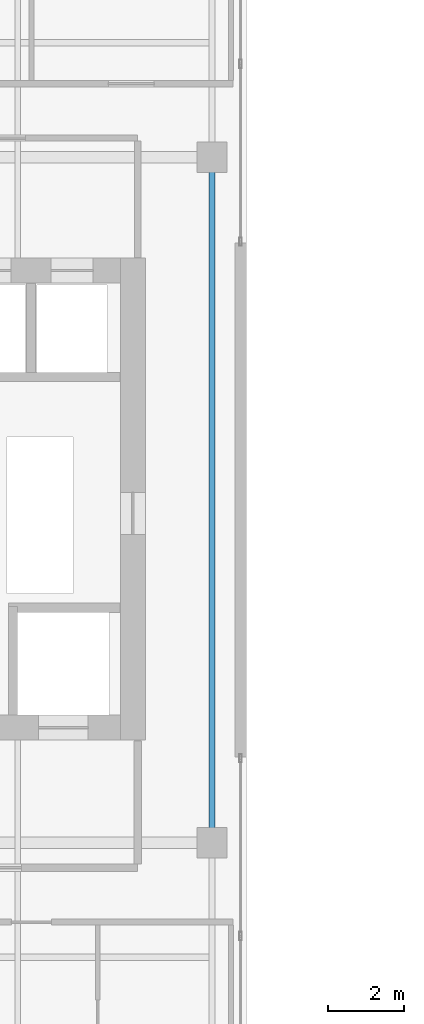
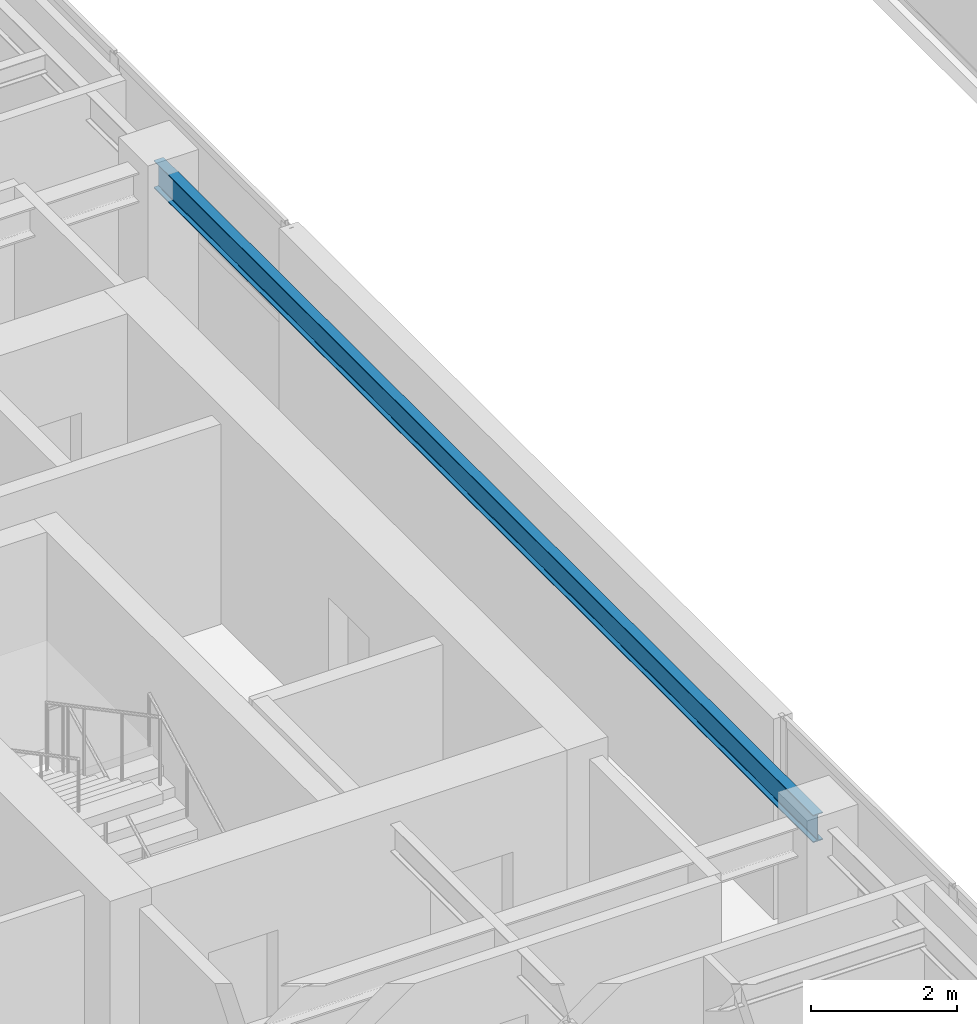
# One storey, part 7 of 22: 1 beam.
"""IFC4 building model written with IfcOpenShell, lengths in metres."""

from ifc_helpers import new_model, si_unit, direction, frame, origin, origin_2d, place, context, subcontext, project, spatial, i_section, extrude, source, transform, mapped, material, material_profile, profile_set, type_object, element, save


model = new_model("IFC4")

# Units and contexts
model_context = context("Model", 3, precision=1e-05, world=origin(), true_north=direction((0.0, 1.0)))
body_context = subcontext(model_context, "Body", "Model", "MODEL_VIEW")
ifc_project = project(units=[si_unit("LENGTHUNIT", "METRE"), si_unit("AREAUNIT", "SQUARE_METRE"), si_unit("VOLUMEUNIT", "CUBIC_METRE"), si_unit("PLANEANGLEUNIT", "RADIAN"), si_unit("MASSUNIT", "GRAM", prefix="KILO")], contexts=[model_context])

# Site, building, storey
site_placement = place(None, origin())
site = spatial("IfcSite", under=ifc_project, at=site_placement, CompositionType="ELEMENT")
building_placement = place(site_placement, origin())
building = spatial("IfcBuilding", under=site, at=building_placement, Name="Khoralis Quay Care Tower", CompositionType="ELEMENT")
storey_placement = place(building_placement, frame((0.0, 0.0, 209.699951171875)))
storey = spatial("IfcBuildingStorey", under=building, at=storey_placement, Name="L55", CompositionType="ELEMENT", Elevation=209.699951171875)

# Beam
ifc_material = material(Name="Steel S355", Category="steel")
ifc_material_profile = material_profile(ifc_material, i_section(OverallWidth=0.154052734375, OverallDepth=0.458984375, WebThickness=0.009033203125, FlangeThickness=0.015380859375, FilletRadius=0.014892578125, at=origin_2d()), Name="Steel S355")
ifc_profile_set = profile_set([ifc_material_profile], Name="Steel S355")
beam_type = type_object("IfcBeamType", Name="BM-W460X68", PredefinedType="BEAM", material=ifc_profile_set)
shared_shape = source(origin(), body_context, "Body", "SweptSolid", [
    extrude(i_section(OverallWidth=0.154052734375, OverallDepth=0.458984375, WebThickness=0.009033203125, FlangeThickness=0.015380859375, FilletRadius=0.014892578125, at=origin_2d()), origin(), (0.0, 0.0, 1.0), 18.0),
])
beam_placement = place(storey_placement, frame((17.10009765625, 12.0, 3.110595703125), z_axis=(0.0, 1.0, 0.0), x_axis=(-1.0, 0.0, 0.0)))
element("IfcBeam", 1, at=beam_placement, inside=storey, type_object=beam_type, Name="BM-TGSW-L55", PredefinedType="BEAM", context=body_context, shape_type="MappedRepresentation", body=[
    mapped(shared_shape, transform((0.0, 0.0, 0.0), scale=1.0)),
])

save(model, "model.ifc")
